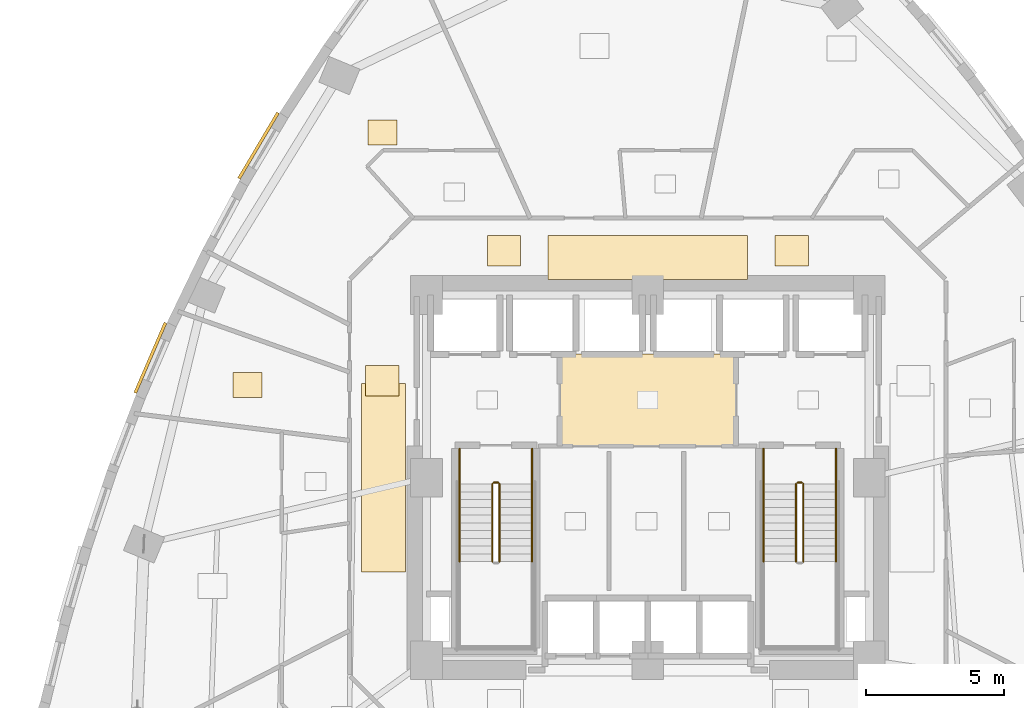
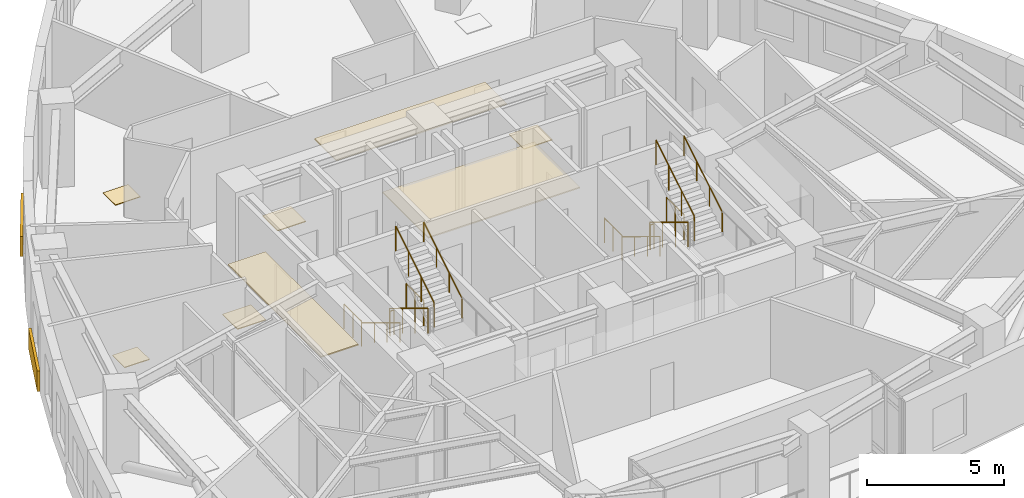
# One storey, part 10 of 11: 14 railings, 10 coverings.
"""IFC4 building model written with IfcOpenShell, lengths in metres."""

from ifc_helpers import new_model, si_unit, direction, frame, origin, origin_2d, place, context, subcontext, project, spatial, rectangle, circle, extrude, material, layer, layer_set, type_object, element, save


model = new_model("IFC4")

# Units and contexts
model_context = context("Model", 3, precision=1e-05, world=origin(), true_north=direction((0.0, 1.0)))
body_context = subcontext(model_context, "Body", "Model", "MODEL_VIEW")
ifc_project = project(units=[si_unit("LENGTHUNIT", "METRE"), si_unit("AREAUNIT", "SQUARE_METRE"), si_unit("VOLUMEUNIT", "CUBIC_METRE"), si_unit("PLANEANGLEUNIT", "RADIAN"), si_unit("MASSUNIT", "GRAM", prefix="KILO")], contexts=[model_context])

# Site, building, storey
site_placement = place(None, origin())
site = spatial("IfcSite", under=ifc_project, at=site_placement, CompositionType="ELEMENT")
building_placement = place(site_placement, origin())
building = spatial("IfcBuilding", under=site, at=building_placement, Name="Ndelora Gate Hotel", CompositionType="ELEMENT")
storey_placement = place(building_placement, frame((0.0, 0.0, 41.75)))
storey = spatial("IfcBuildingStorey", under=building, at=storey_placement, Name="L09", CompositionType="ELEMENT", Elevation=41.75)

# Coverings
ifc_material_1 = material(Name="Perforated Acoustic Gypsum Board", Category="gypsum")
ifc_layer_1 = layer(ifc_material_1, 0.054931640625)
ifc_layer_set_1 = layer_set([ifc_layer_1], Name="Perforated Acoustic Gypsum Board")
covering_type_1 = type_object("IfcCoveringType", Name="COV-CEIL-AC60", PredefinedType="CEILING", material=ifc_layer_set_1)
covering_1_placement = place(storey_placement, frame((0.0, 2.800048828125, 2.72265625), z_axis=(0.0, 0.0, 1.0), x_axis=(1.0, 0.0, 0.0)))
element("IfcCovering", 1, at=covering_1_placement, inside=storey, type_object=covering_type_1, Name="L09 Lift Lobby Acoustic Ceiling", PredefinedType="CEILING", context=body_context, shape_type="SweptSolid", body=[
    extrude(rectangle(XDim=6.39990234375, YDim=3.340087890625, at=origin_2d()), origin(), (0.0, 0.0, 1.0), 0.054931640625),
])
covering_2_placement = place(storey_placement, frame((0.0, 7.9599609375, 2.65234375), z_axis=(0.0, 0.0, 1.0), x_axis=(1.0, 0.0, 0.0)))
element("IfcCovering", 2, at=covering_2_placement, inside=storey, type_object=covering_type_1, Name="L09 Guest Corridor Acoustic Ceiling N", PredefinedType="CEILING", context=body_context, shape_type="SweptSolid", body=[
    extrude(rectangle(XDim=7.199951171875, YDim=1.580078125, at=origin_2d()), origin(), (0.0, 0.0, 1.0), 0.054931640625),
])
covering_3_placement = place(storey_placement, frame((-9.550048828125, 0.0, 2.65234375), z_axis=(0.0, 0.0, 1.0), x_axis=(1.0, 0.0, 0.0)))
element("IfcCovering", 3, at=covering_3_placement, inside=storey, type_object=covering_type_1, Name="L09 Guest Corridor Acoustic Ceiling W", PredefinedType="CEILING", context=body_context, shape_type="SweptSolid", body=[
    extrude(rectangle(XDim=1.580078125, YDim=6.800048828125, at=origin_2d()), origin(), (0.0, 0.0, 1.0), 0.054931640625),
])
ifc_material_2 = material(Name="Terracotta Fired Clay Brick Slip Cladding", Category="masonry")
ifc_layer_2 = layer(ifc_material_2, 0.110107421875)
ifc_layer_set_2 = layer_set([ifc_layer_2], Name="Terracotta Fired Clay Brick Slip Cladding")
covering_type_2 = type_object("IfcCoveringType", Name="COV-CLAD-BRK", PredefinedType="CLADDING", material=ifc_layer_set_2)
for number, where, z_axis, x_axis, name in (
    (4, (-14.0703125, 11.9990234375, 0.10009765625), (0.0, 0.0, 1.0), (0.510092630351, 0.860119473365, 0.0), "L09 Rounded-Corner Brick Cladding Band 13"),
    (5, (-17.977783203125, 4.330322265625, 0.10009765625), (0.0, 0.0, 1.0), (0.396026345721, 0.918239148313, 0.0), "L09 Rounded-Corner Brick Cladding Band 16"),
):
    element("IfcCovering", number, at=place(storey_placement, frame(where, z_axis=z_axis, x_axis=x_axis)), inside=storey, type_object=covering_type_2, Name=name, PredefinedType="CLADDING", context=body_context, shape_type="SweptSolid", body=[
        extrude(rectangle(XDim=2.764892578125, YDim=0.110107421875, at=origin_2d()), origin(), (0.0, 0.0, 1.0), 0.89990234375),
    ])
ifc_material_3 = material(Name="Engineered Highland Oak Parquet", Category="wood")
ifc_layer_3 = layer(ifc_material_3, 0.030029296875)
ifc_layer_set_3 = layer_set([ifc_layer_3], Name="Engineered Highland Oak Parquet")
covering_type_3 = type_object("IfcCoveringType", Name="COV-FLR-PARQ", PredefinedType="FLOORING", material=ifc_layer_set_3)
for number, where, z_axis, x_axis, name in (
    (6, (-9.582763671875, 12.48095703125, 0.0), (0.0, 0.0, 1.0), (1.0, 0.0, 0.0), "L09 Superior Double Guest Room 1206 Oak Parquet Flooring"),
    (7, (-14.461669921875, 3.34814453125, 0.0), (0.0, 0.0, 1.0), (1.0, 0.0, 0.0), "L09 Accessible WC Oak Parquet Flooring"),
):
    element("IfcCovering", number, at=place(storey_placement, frame(where, z_axis=z_axis, x_axis=x_axis)), inside=storey, type_object=covering_type_3, Name=name, PredefinedType="FLOORING", context=body_context, shape_type="SweptSolid", body=[
        extrude(rectangle(XDim=1.050048828125, YDim=0.89990234375, at=origin_2d()), origin(), (0.0, 0.0, 1.0), 0.030029296875),
    ])
ifc_material_4 = material(Name="Polished Highland Stone Terrazzo", Category="masonry")
ifc_layer_4 = layer(ifc_material_4, 0.034912109375)
ifc_layer_set_4 = layer_set([ifc_layer_4], Name="Polished Highland Stone Terrazzo")
covering_type_4 = type_object("IfcCoveringType", Name="COV-FLR-TERZ", PredefinedType="FLOORING", material=ifc_layer_set_4)
for number, where, z_axis, x_axis, name in (
    (8, (-5.199951171875, 8.199951171875, 0.0), (0.0, 0.0, 1.0), (1.0, 0.0, 0.0), "L09 Corridor Threshold Terrazzo Inlay NW"),
    (9, (5.199951171875, 8.199951171875, 0.0), (0.0, 0.0, 1.0), (1.0, 0.0, 0.0), "L09 Corridor Threshold Terrazzo Inlay NE"),
    (10, (-9.60009765625, 3.5, 0.0), (0.0, 0.0, 1.0), (1.0, 0.0, 0.0), "L09 Corridor Threshold Terrazzo Inlay W"),
):
    element("IfcCovering", number, at=place(storey_placement, frame(where, z_axis=z_axis, x_axis=x_axis)), inside=storey, type_object=covering_type_4, Name=name, PredefinedType="FLOORING", context=body_context, shape_type="SweptSolid", body=[
        extrude(rectangle(XDim=1.199951171875, YDim=1.10009765625, at=origin_2d()), origin(), (0.0, 0.0, 1.0), 0.034912109375),
    ])

# Railings
ifc_material_5 = material(Name="Painted Galvanized Steel Balustrade", Category="steel")
ifc_layer_5 = layer(ifc_material_5, 0.06005859375)
ifc_layer_set_5 = layer_set([ifc_layer_5], Name="Painted Galvanized Steel Balustrade")
railing_type_1 = type_object("IfcRailingType", Name="RL-STAIR-GD", PredefinedType="GUARDRAIL", material=ifc_layer_set_5)
railing_1_placement = place(storey_placement, frame((-5.6201171875, -0.22998046875, 0.17041015625)))
element("IfcRailing", 11, at=railing_1_placement, inside=storey, type_object=railing_type_1, Name="L09 ST4 stair guard 1", PredefinedType="GUARDRAIL", context=body_context, shape_type="SweptSolid", body=[
    extrude(circle(Radius=0.02392578125, at=origin_2d()), frame((0.0, 0.0, 1.10595703125), z_axis=(0.0, -0.854169791009, 0.51999420009), x_axis=(1.0, 0.0, 0.0)), (0.0, 0.0, 1.0), 3.278076171875),
    extrude(circle(Radius=0.02099609375, at=origin_2d()), origin(), (0.0, 0.0, 1.0), 1.081787109375),
    extrude(circle(Radius=0.02099609375, at=origin_2d()), frame((0.0, -0.933349609375, 0.568115234375)), (0.0, 0.0, 1.0), 1.081787109375),
    extrude(circle(Radius=0.02099609375, at=origin_2d()), frame((0.0, -1.86669921875, 1.136474609375)), (0.0, 0.0, 1.0), 1.081787109375),
    extrude(circle(Radius=0.02099609375, at=origin_2d()), frame((0.0, -2.800048828125, 1.70458984375)), (0.0, 0.0, 1.0), 1.081787109375),
])
railing_2_placement = place(storey_placement, frame((-5.360107421875, -3.030029296875, 2.04541015625)))
element("IfcRailing", 12, at=railing_2_placement, inside=storey, type_object=railing_type_1, Name="L09 ST4 stair guard 6", PredefinedType="GUARDRAIL", context=body_context, shape_type="SweptSolid", body=[
    extrude(circle(Radius=0.02392578125, at=origin_2d()), frame((0.0, 0.0, 1.10595703125), z_axis=(0.0, 0.854169791009, 0.51999420009), x_axis=(-1.0, 0.0, 0.0)), (0.0, 0.0, 1.0), 3.278076171875),
    extrude(circle(Radius=0.02099609375, at=origin_2d()), origin(), (0.0, 0.0, 1.0), 1.081787109375),
    extrude(circle(Radius=0.02099609375, at=origin_2d()), frame((0.0, 0.933349609375, 0.568115234375)), (0.0, 0.0, 1.0), 1.081787109375),
    extrude(circle(Radius=0.02099609375, at=origin_2d()), frame((0.0, 1.86669921875, 1.136474609375)), (0.0, 0.0, 1.0), 1.081787109375),
    extrude(circle(Radius=0.02099609375, at=origin_2d()), frame((0.0, 2.800048828125, 1.70458984375)), (0.0, 0.0, 1.0), 1.081787109375),
])
railing_3_placement = place(storey_placement, frame((-5.570068359375, -0.179931640625, 0.0)))
element("IfcRailing", 13, at=railing_3_placement, inside=storey, type_object=railing_type_1, Name="L09 ST4 stair guard 7", PredefinedType="GUARDRAIL", context=body_context, shape_type="SweptSolid", body=[
    extrude(circle(Radius=0.02392578125, at=origin_2d()), frame((0.0, 0.0, 1.10595703125), z_axis=(1.0, 0.0, 0.0), x_axis=(0.0, 1.0, 0.0)), (0.0, 0.0, 1.0), 0.16015625),
    extrude(circle(Radius=0.02099609375, at=origin_2d()), origin(), (0.0, 0.0, 1.0), 1.081787109375),
    extrude(circle(Radius=0.02099609375, at=origin_2d()), frame((0.16015625, 0.0, 0.0)), (0.0, 0.0, 1.0), 1.081787109375),
])
for number, where, name in (
    (14, (-6.800048828125, 1.050048828125, 0.0), "L09 ST4 stair guard 8"),
    (15, (-4.179931640625, 1.050048828125, 0.0), "L09 ST4 stair guard 9"),
):
    element("IfcRailing", number, at=place(storey_placement, frame(where)), inside=storey, type_object=railing_type_1, Name=name, PredefinedType="GUARDRAIL", context=body_context, shape_type="SweptSolid", body=[
        extrude(circle(Radius=0.02392578125, at=origin_2d()), frame((0.0, 0.0, 1.10595703125), z_axis=(0.0, -1.0, 0.0), x_axis=(1.0, 0.0, 0.0)), (0.0, 0.0, 1.0), 1.280029296875),
        extrude(circle(Radius=0.02099609375, at=origin_2d()), origin(), (0.0, 0.0, 1.0), 1.081787109375),
        extrude(circle(Radius=0.02099609375, at=origin_2d()), frame((0.0, -0.64013671875, 0.0)), (0.0, 0.0, 1.0), 1.081787109375),
        extrude(circle(Radius=0.02099609375, at=origin_2d()), frame((0.0, -1.280029296875, 0.0)), (0.0, 0.0, 1.0), 1.081787109375),
    ])
railing_4_placement = place(storey_placement, frame((5.360107421875, -0.22998046875, 0.17041015625)))
element("IfcRailing", 16, at=railing_4_placement, inside=storey, type_object=railing_type_1, Name="L09 ST5 stair guard 1", PredefinedType="GUARDRAIL", context=body_context, shape_type="SweptSolid", body=[
    extrude(circle(Radius=0.02392578125, at=origin_2d()), frame((0.0, 0.0, 1.10595703125), z_axis=(0.0, -0.854169791009, 0.51999420009), x_axis=(1.0, 0.0, 0.0)), (0.0, 0.0, 1.0), 3.278076171875),
    extrude(circle(Radius=0.02099609375, at=origin_2d()), origin(), (0.0, 0.0, 1.0), 1.081787109375),
    extrude(circle(Radius=0.02099609375, at=origin_2d()), frame((0.0, -0.933349609375, 0.568115234375)), (0.0, 0.0, 1.0), 1.081787109375),
    extrude(circle(Radius=0.02099609375, at=origin_2d()), frame((0.0, -1.86669921875, 1.136474609375)), (0.0, 0.0, 1.0), 1.081787109375),
    extrude(circle(Radius=0.02099609375, at=origin_2d()), frame((0.0, -2.800048828125, 1.70458984375)), (0.0, 0.0, 1.0), 1.081787109375),
])
railing_5_placement = place(storey_placement, frame((5.6201171875, -3.030029296875, 2.04541015625)))
element("IfcRailing", 17, at=railing_5_placement, inside=storey, type_object=railing_type_1, Name="L09 ST5 stair guard 6", PredefinedType="GUARDRAIL", context=body_context, shape_type="SweptSolid", body=[
    extrude(circle(Radius=0.02392578125, at=origin_2d()), frame((0.0, 0.0, 1.10595703125), z_axis=(0.0, 0.854169791009, 0.51999420009), x_axis=(-1.0, 0.0, 0.0)), (0.0, 0.0, 1.0), 3.278076171875),
    extrude(circle(Radius=0.02099609375, at=origin_2d()), origin(), (0.0, 0.0, 1.0), 1.081787109375),
    extrude(circle(Radius=0.02099609375, at=origin_2d()), frame((0.0, 0.933349609375, 0.568115234375)), (0.0, 0.0, 1.0), 1.081787109375),
    extrude(circle(Radius=0.02099609375, at=origin_2d()), frame((0.0, 1.86669921875, 1.136474609375)), (0.0, 0.0, 1.0), 1.081787109375),
    extrude(circle(Radius=0.02099609375, at=origin_2d()), frame((0.0, 2.800048828125, 1.70458984375)), (0.0, 0.0, 1.0), 1.081787109375),
])
railing_6_placement = place(storey_placement, frame((5.409912109375, -0.179931640625, 0.0)))
element("IfcRailing", 18, at=railing_6_placement, inside=storey, type_object=railing_type_1, Name="L09 ST5 stair guard 7", PredefinedType="GUARDRAIL", context=body_context, shape_type="SweptSolid", body=[
    extrude(circle(Radius=0.02392578125, at=origin_2d()), frame((0.0, 0.0, 1.10595703125), z_axis=(1.0, 0.0, 0.0), x_axis=(0.0, 1.0, 0.0)), (0.0, 0.0, 1.0), 0.16015625),
    extrude(circle(Radius=0.02099609375, at=origin_2d()), origin(), (0.0, 0.0, 1.0), 1.081787109375),
    extrude(circle(Radius=0.02099609375, at=origin_2d()), frame((0.16015625, 0.0, 0.0)), (0.0, 0.0, 1.0), 1.081787109375),
])
for number, where, name in (
    (19, (4.179931640625, 1.050048828125, 0.0), "L09 ST5 stair guard 8"),
    (20, (6.800048828125, 1.050048828125, 0.0), "L09 ST5 stair guard 9"),
):
    element("IfcRailing", number, at=place(storey_placement, frame(where)), inside=storey, type_object=railing_type_1, Name=name, PredefinedType="GUARDRAIL", context=body_context, shape_type="SweptSolid", body=[
        extrude(circle(Radius=0.02392578125, at=origin_2d()), frame((0.0, 0.0, 1.10595703125), z_axis=(0.0, -1.0, 0.0), x_axis=(1.0, 0.0, 0.0)), (0.0, 0.0, 1.0), 1.280029296875),
        extrude(circle(Radius=0.02099609375, at=origin_2d()), origin(), (0.0, 0.0, 1.0), 1.081787109375),
        extrude(circle(Radius=0.02099609375, at=origin_2d()), frame((0.0, -0.64013671875, 0.0)), (0.0, 0.0, 1.0), 1.081787109375),
        extrude(circle(Radius=0.02099609375, at=origin_2d()), frame((0.0, -1.280029296875, 0.0)), (0.0, 0.0, 1.0), 1.081787109375),
    ])
ifc_material_6 = material(Name="Brushed Stainless Steel 316", Category="steel")
ifc_layer_6 = layer(ifc_material_6, 0.050048828125)
ifc_layer_set_6 = layer_set([ifc_layer_6], Name="Brushed Stainless Steel 316")
railing_type_2 = type_object("IfcRailingType", Name="RL-STAIR-HR", PredefinedType="HANDRAIL", material=ifc_layer_set_6)
railing_7_placement = place(storey_placement, frame((-6.800048828125, -0.22998046875, 0.17041015625)))
element("IfcRailing", 21, at=railing_7_placement, inside=storey, type_object=railing_type_2, Name="L09 ST4 stair handrail 1", PredefinedType="HANDRAIL", context=body_context, shape_type="SweptSolid", body=[
    extrude(circle(Radius=0.02392578125, at=origin_2d()), frame((0.0, 0.0, 0.8759765625), z_axis=(0.0, -0.854169791009, 0.51999420009), x_axis=(1.0, 0.0, 0.0)), (0.0, 0.0, 1.0), 3.278076171875),
    extrude(circle(Radius=0.02099609375, at=origin_2d()), origin(), (0.0, 0.0, 1.0), 0.851806640625),
    extrude(circle(Radius=0.02099609375, at=origin_2d()), frame((0.0, -0.933349609375, 0.568115234375)), (0.0, 0.0, 1.0), 0.851806640625),
    extrude(circle(Radius=0.02099609375, at=origin_2d()), frame((0.0, -1.86669921875, 1.136474609375)), (0.0, 0.0, 1.0), 0.851806640625),
    extrude(circle(Radius=0.02099609375, at=origin_2d()), frame((0.0, -2.800048828125, 1.70458984375)), (0.0, 0.0, 1.0), 0.851806640625),
])
railing_8_placement = place(storey_placement, frame((-4.179931640625, -3.030029296875, 2.04541015625)))
element("IfcRailing", 22, at=railing_8_placement, inside=storey, type_object=railing_type_2, Name="L09 ST4 stair handrail 2", PredefinedType="HANDRAIL", context=body_context, shape_type="SweptSolid", body=[
    extrude(circle(Radius=0.02392578125, at=origin_2d()), frame((0.0, 0.0, 0.8759765625), z_axis=(0.0, 0.854169791009, 0.51999420009), x_axis=(-1.0, 0.0, 0.0)), (0.0, 0.0, 1.0), 3.278076171875),
    extrude(circle(Radius=0.02099609375, at=origin_2d()), origin(), (0.0, 0.0, 1.0), 0.851806640625),
    extrude(circle(Radius=0.02099609375, at=origin_2d()), frame((0.0, 0.933349609375, 0.568115234375)), (0.0, 0.0, 1.0), 0.851806640625),
    extrude(circle(Radius=0.02099609375, at=origin_2d()), frame((0.0, 1.86669921875, 1.136474609375)), (0.0, 0.0, 1.0), 0.851806640625),
    extrude(circle(Radius=0.02099609375, at=origin_2d()), frame((0.0, 2.800048828125, 1.70458984375)), (0.0, 0.0, 1.0), 0.851806640625),
])
railing_9_placement = place(storey_placement, frame((4.179931640625, -0.22998046875, 0.17041015625)))
element("IfcRailing", 23, at=railing_9_placement, inside=storey, type_object=railing_type_2, Name="L09 ST5 stair handrail 1", PredefinedType="HANDRAIL", context=body_context, shape_type="SweptSolid", body=[
    extrude(circle(Radius=0.02392578125, at=origin_2d()), frame((0.0, 0.0, 0.8759765625), z_axis=(0.0, -0.854169791009, 0.51999420009), x_axis=(1.0, 0.0, 0.0)), (0.0, 0.0, 1.0), 3.278076171875),
    extrude(circle(Radius=0.02099609375, at=origin_2d()), origin(), (0.0, 0.0, 1.0), 0.851806640625),
    extrude(circle(Radius=0.02099609375, at=origin_2d()), frame((0.0, -0.933349609375, 0.568115234375)), (0.0, 0.0, 1.0), 0.851806640625),
    extrude(circle(Radius=0.02099609375, at=origin_2d()), frame((0.0, -1.86669921875, 1.136474609375)), (0.0, 0.0, 1.0), 0.851806640625),
    extrude(circle(Radius=0.02099609375, at=origin_2d()), frame((0.0, -2.800048828125, 1.70458984375)), (0.0, 0.0, 1.0), 0.851806640625),
])
railing_10_placement = place(storey_placement, frame((6.800048828125, -3.030029296875, 2.04541015625)))
element("IfcRailing", 24, at=railing_10_placement, inside=storey, type_object=railing_type_2, Name="L09 ST5 stair handrail 2", PredefinedType="HANDRAIL", context=body_context, shape_type="SweptSolid", body=[
    extrude(circle(Radius=0.02392578125, at=origin_2d()), frame((0.0, 0.0, 0.8759765625), z_axis=(0.0, 0.854169791009, 0.51999420009), x_axis=(-1.0, 0.0, 0.0)), (0.0, 0.0, 1.0), 3.278076171875),
    extrude(circle(Radius=0.02099609375, at=origin_2d()), origin(), (0.0, 0.0, 1.0), 0.851806640625),
    extrude(circle(Radius=0.02099609375, at=origin_2d()), frame((0.0, 0.933349609375, 0.568115234375)), (0.0, 0.0, 1.0), 0.851806640625),
    extrude(circle(Radius=0.02099609375, at=origin_2d()), frame((0.0, 1.86669921875, 1.136474609375)), (0.0, 0.0, 1.0), 0.851806640625),
    extrude(circle(Radius=0.02099609375, at=origin_2d()), frame((0.0, 2.800048828125, 1.70458984375)), (0.0, 0.0, 1.0), 0.851806640625),
])

save(model, "model.ifc")
